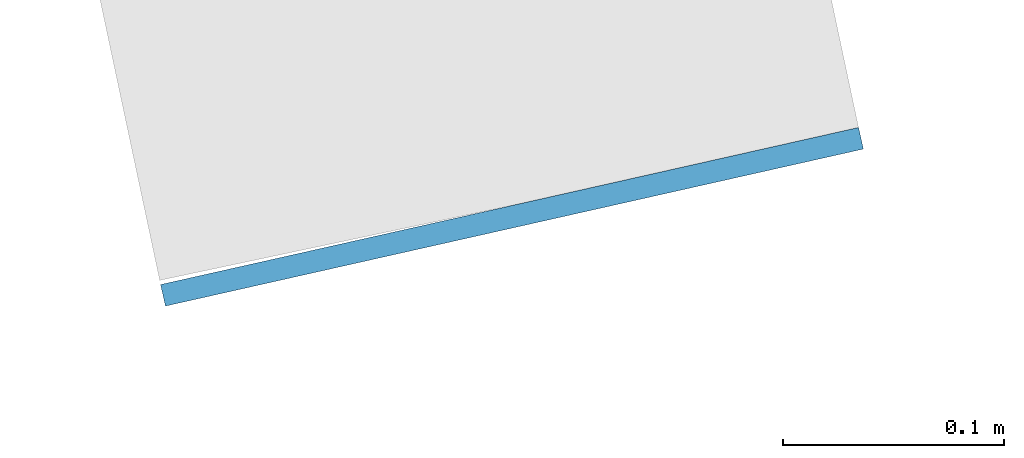
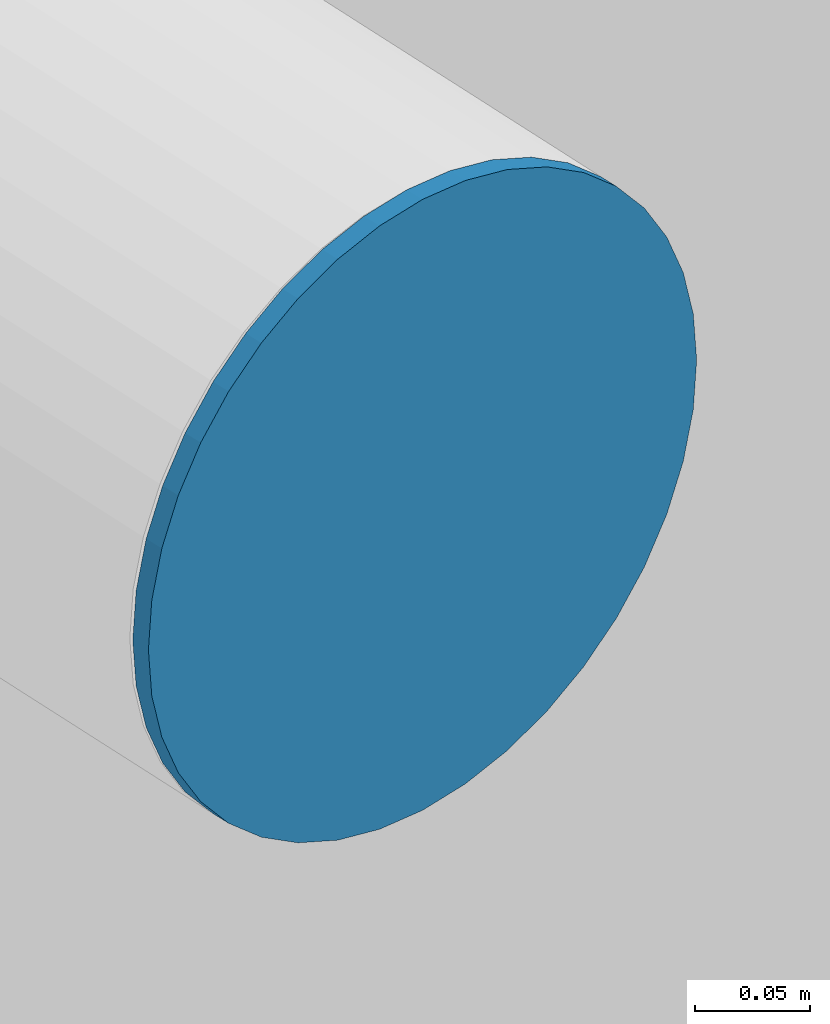
# One storey, part 76 of 95: 1 discrete accessory.
"""IFC4 building model written with IfcOpenShell, lengths in metres."""

from ifc_helpers import new_model, si_unit, direction, frame, origin, origin_2d, place, context, subcontext, project, spatial, circle, extrude, material, layer, layer_set, type_object, element, save


model = new_model("IFC4")

# Units and contexts
model_context = context("Model", 3, precision=1e-05, world=origin(), true_north=direction((0.0, 1.0)))
body_context = subcontext(model_context, "Body", "Model", "MODEL_VIEW")
ifc_project = project(units=[si_unit("LENGTHUNIT", "METRE"), si_unit("AREAUNIT", "SQUARE_METRE"), si_unit("VOLUMEUNIT", "CUBIC_METRE"), si_unit("PLANEANGLEUNIT", "RADIAN"), si_unit("MASSUNIT", "GRAM", prefix="KILO")], contexts=[model_context])

# Site, building, storey
site_placement = place(None, origin())
site = spatial("IfcSite", under=ifc_project, at=site_placement, CompositionType="ELEMENT")
building_placement = place(site_placement, origin())
building = spatial("IfcBuilding", under=site, at=building_placement, Name="Windward Yard Aquatics Centre", CompositionType="ELEMENT")
storey_placement = place(building_placement, frame((0.0, 0.0, 9.39990234375)))
storey = spatial("IfcBuildingStorey", under=building, at=storey_placement, Name="L02", CompositionType="ELEMENT", Elevation=9.39990234375)

# Discrete accessory
ifc_material = material(Name="Steel S355", Category="steel")
ifc_layer = layer(ifc_material, 0.010009765625)
ifc_layer_set = layer_set([ifc_layer], Name="End cap plate 10 mm CHS323.9x12.7")
discrete_accessory_type = type_object("IfcDiscreteAccessoryType", Name="End cap plate 10 mm CHS323.9x12.7", PredefinedType="USERDEFINED", material=ifc_layer_set)
discrete_accessory_placement = place(storey_placement, frame((198.6591796875, 51.381591796875, 4.16796875), z_axis=(-0.219512195122, 0.975609756098, 0.0), x_axis=(-0.975609756098, -0.219512195122, 0.0)))
element("IfcDiscreteAccessory", 1, at=discrete_accessory_placement, inside=storey, type_object=discrete_accessory_type, Name="End cap", ObjectType="END CAP", PredefinedType="USERDEFINED", context=body_context, shape_type="SweptSolid", body=[
    extrude(circle(Radius=0.161865234375, at=origin_2d()), origin(), (0.0, 0.0, 1.0), 0.010009765625),
])

save(model, "model.ifc")
